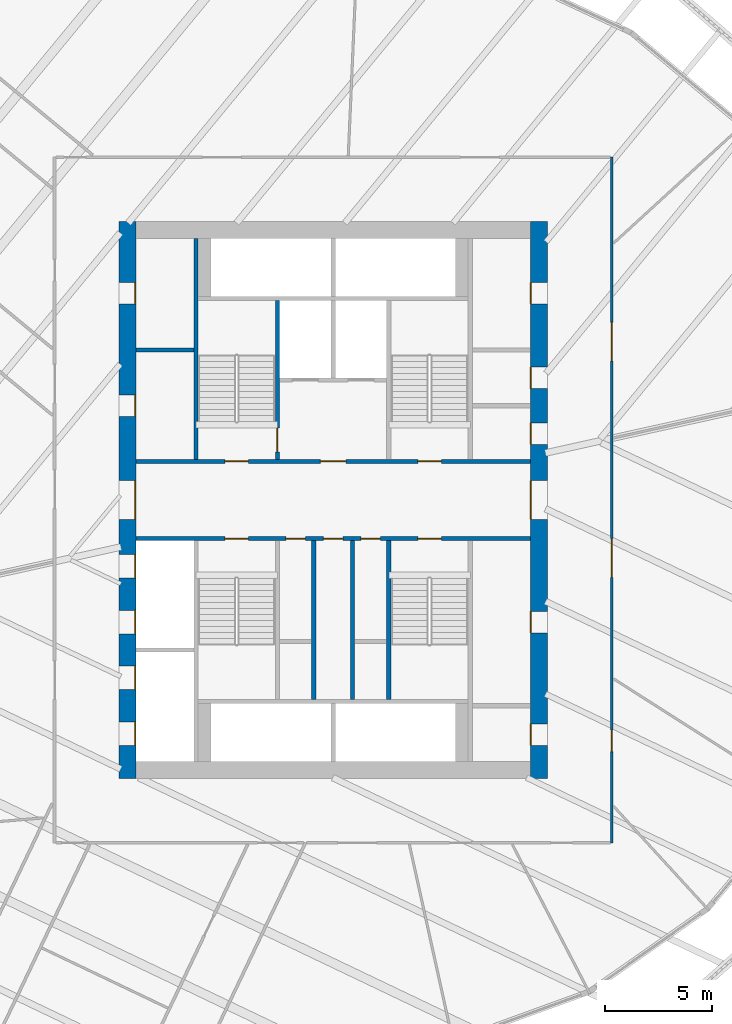
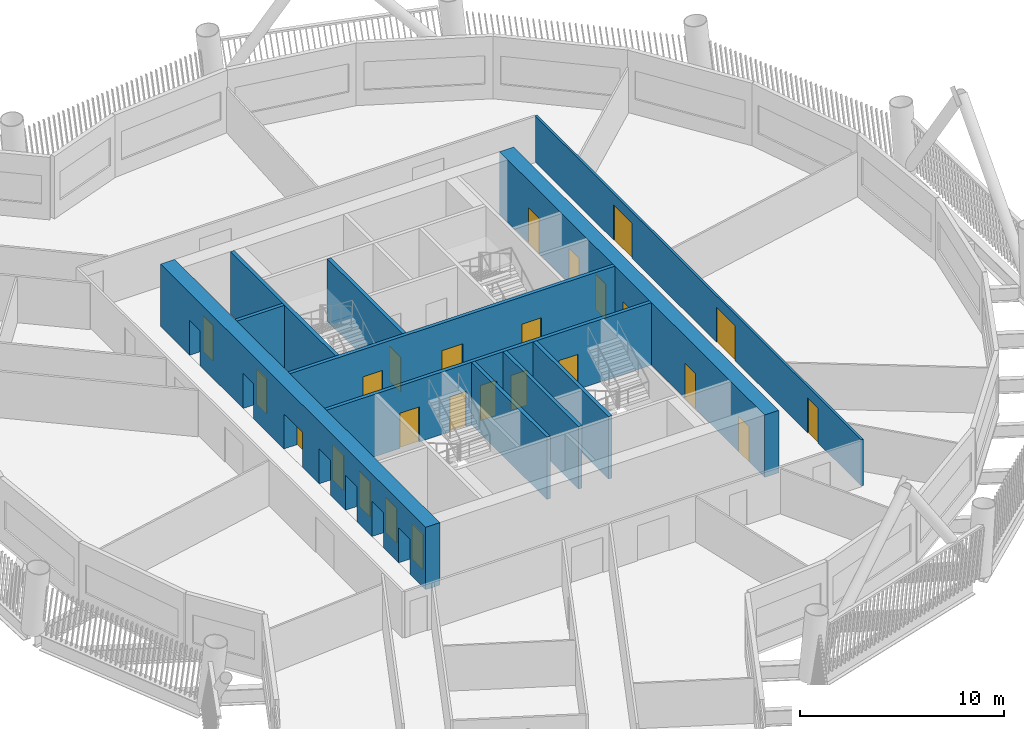
# One storey, part 5 of 22: 25 doors, 11 walls, 25 openings.
"""IFC4 building model written with IfcOpenShell, lengths in metres."""

from ifc_helpers import new_model, si_unit, direction, frame, frame_2d, origin, place, context, subcontext, project, spatial, rectangle, extrude, material, layer, layer_set, type_object, element, fill, save


model = new_model("IFC4")

# Units and contexts
model_context = context("Model", 3, precision=1e-05, world=origin(), true_north=direction((0.0, 1.0)))
body_context = subcontext(model_context, "Body", "Model", "MODEL_VIEW")
ifc_project = project(units=[si_unit("LENGTHUNIT", "METRE"), si_unit("AREAUNIT", "SQUARE_METRE"), si_unit("VOLUMEUNIT", "CUBIC_METRE"), si_unit("PLANEANGLEUNIT", "RADIAN"), si_unit("MASSUNIT", "GRAM", prefix="KILO")], contexts=[model_context])

# Site, building, storey
site_placement = place(None, origin())
site = spatial("IfcSite", under=ifc_project, at=site_placement, CompositionType="ELEMENT")
building_placement = place(site_placement, origin())
building = spatial("IfcBuilding", under=site, at=building_placement, Name="Tarsis Ring Headquarters", CompositionType="ELEMENT")
storey_placement = place(building_placement, frame((0.0, 0.0, 108.39990234375)))
storey = spatial("IfcBuildingStorey", under=building, at=storey_placement, Name="L24", CompositionType="ELEMENT", Elevation=108.39990234375)

# Walls
ifc_material_1 = material(Name="Blockwork", Category="masonry")
ifc_layer_1 = layer(ifc_material_1, 0.199951171875)
ifc_layer_set_1 = layer_set([ifc_layer_1], Name="Core blockwork wall 200")
wall_type_1 = type_object("IfcWallType", Name="Core blockwork wall 200", PredefinedType="PARTITIONING", material=ifc_layer_set_1)
wall_1_placement = place(storey_placement, frame((-9.199951171875, 7.0, 0.0), z_axis=(0.0, 0.0, 1.0), x_axis=(1.0, 0.0, 0.0)))
element("IfcWall", 1, at=wall_1_placement, inside=storey, type_object=wall_type_1, Name="Core partition WD6", PredefinedType="PARTITIONING", context=body_context, shape_type="SweptSolid", body=[
    extrude(rectangle(XDim=2.699951171875, YDim=0.199951171875, at=frame_2d((1.35009765625, 0.0))), origin(), (0.0, 0.0, 1.0), 3.739990234375),
])
for number, where, z_axis, x_axis, name in (
    (2, (-0.89990234375, -9.300048828125, 0.0), (0.0, 0.0, 1.0), (0.0, 1.0, 0.0), "Core partition SV1"),
    (3, (0.89990234375, -9.300048828125, 0.0), (0.0, 0.0, 1.0), (0.0, 1.0, 0.0), "Core partition SV2"),
):
    element("IfcWall", number, at=place(storey_placement, frame(where, z_axis=z_axis, x_axis=x_axis)), inside=storey, type_object=wall_type_1, Name=name, PredefinedType="PARTITIONING", context=body_context, shape_type="SweptSolid", body=[
        extrude(rectangle(XDim=7.400146484375, YDim=0.199951171875, at=frame_2d((3.7001953125, 0.0))), origin(), (0.0, 0.0, 1.0), 3.739990234375),
    ])

# Wall, openings, doors
ifc_material_2 = material(Name="Concrete C60/75", Category="concrete")
ifc_layer_2 = layer(ifc_material_2, 0.800048828125)
ifc_layer_set_2 = layer_set([ifc_layer_2], Name="Core wall 800 C60/75")
wall_type_2 = type_object("IfcWallType", Name="Core wall 800 C60/75", PredefinedType="SHEAR", material=ifc_layer_set_2)
wall_2_placement = place(storey_placement, frame((-9.60009765625, -13.0, 0.0), z_axis=(0.0, 0.0, 1.0), x_axis=(0.0, 1.0, 0.0)))
wall_2 = element("IfcWall", 4, at=wall_2_placement, inside=storey, type_object=wall_type_2, Name="Core wall OW", PredefinedType="SHEAR", context=body_context, shape_type="SweptSolid", body=[
    extrude(rectangle(XDim=26.0, YDim=0.800048828125, at=frame_2d((13.0, 0.0))), origin(), (0.0, 0.0, 1.0), 3.739990234375),
])
opening_1_placement = place(wall_2_placement, frame((1.550048828125, 0.0, 0.0)))
opening_1 = element("IfcOpeningElement", 5, at=opening_1_placement, cuts=wall_2, Name="Opening LD-LR1", PredefinedType="OPENING", context=body_context, shape_type="SweptSolid", body=[
    extrude(rectangle(XDim=1.10009765625, YDim=2.10009765625, at=frame_2d((0.550048828125, 1.050048828125))), frame((0.0, 0.409912109375, 0.0), z_axis=(0.0, -1.0, 0.0), x_axis=(1.0, 0.0, 0.0)), (0.0, 0.0, 1.0), 0.820068359375),
])
opening_2_placement = place(wall_2_placement, frame((4.14990234375, 0.0, 0.0)))
opening_2 = element("IfcOpeningElement", 6, at=opening_2_placement, cuts=wall_2, Name="Opening LD-LR2", PredefinedType="OPENING", context=body_context, shape_type="SweptSolid", body=[
    extrude(rectangle(XDim=1.10009765625, YDim=2.10009765625, at=frame_2d((0.550048828125, 1.050048828125))), frame((0.0, 0.409912109375, 0.0), z_axis=(0.0, -1.0, 0.0), x_axis=(1.0, 0.0, 0.0)), (0.0, 0.0, 1.0), 0.820068359375),
])
opening_3_placement = place(wall_2_placement, frame((6.75, 0.0, 0.0)))
opening_3 = element("IfcOpeningElement", 7, at=opening_3_placement, cuts=wall_2, Name="Opening LD-LR3", PredefinedType="OPENING", context=body_context, shape_type="SweptSolid", body=[
    extrude(rectangle(XDim=1.10009765625, YDim=2.10009765625, at=frame_2d((0.550048828125, 1.050048828125))), frame((0.0, 0.409912109375, 0.0), z_axis=(0.0, -1.0, 0.0), x_axis=(1.0, 0.0, 0.0)), (0.0, 0.0, 1.0), 0.820068359375),
])
opening_4_placement = place(wall_2_placement, frame((9.35009765625, 0.0, 0.0)))
opening_4 = element("IfcOpeningElement", 8, at=opening_4_placement, cuts=wall_2, Name="Opening LD-LR4", PredefinedType="OPENING", context=body_context, shape_type="SweptSolid", body=[
    extrude(rectangle(XDim=1.10009765625, YDim=2.10009765625, at=frame_2d((0.550048828125, 1.050048828125))), frame((0.0, 0.409912109375, 0.0), z_axis=(0.0, -1.0, 0.0), x_axis=(1.0, 0.0, 0.0)), (0.0, 0.0, 1.0), 0.820068359375),
])
opening_5_placement = place(wall_2_placement, frame((12.10009765625, 0.0, 0.0)))
opening_5 = element("IfcOpeningElement", 9, at=opening_5_placement, cuts=wall_2, Name="Opening L24-C05", PredefinedType="OPENING", context=body_context, shape_type="SweptSolid", body=[
    extrude(rectangle(XDim=1.800048828125, YDim=2.10009765625, at=frame_2d((0.89990234375, 1.050048828125))), frame((0.0, 0.409912109375, 0.0), z_axis=(0.0, -1.0, 0.0), x_axis=(1.0, 0.0, 0.0)), (0.0, 0.0, 1.0), 0.820068359375),
])
opening_6_placement = place(wall_2_placement, frame((16.89990234375, 0.0, 0.0)))
opening_6 = element("IfcOpeningElement", 10, at=opening_6_placement, cuts=wall_2, Name="Opening L24-C06", PredefinedType="OPENING", context=body_context, shape_type="SweptSolid", body=[
    extrude(rectangle(XDim=1.0, YDim=2.10009765625, at=frame_2d((0.5, 1.050048828125))), frame((0.0, 0.409912109375, 0.0), z_axis=(0.0, -1.0, 0.0), x_axis=(1.0, 0.0, 0.0)), (0.0, 0.0, 1.0), 0.820068359375),
])
opening_7_placement = place(wall_2_placement, frame((22.14990234375, 0.0, 0.0)))
opening_7 = element("IfcOpeningElement", 11, at=opening_7_placement, cuts=wall_2, Name="Opening L24-C07", PredefinedType="OPENING", context=body_context, shape_type="SweptSolid", body=[
    extrude(rectangle(XDim=1.0, YDim=2.10009765625, at=frame_2d((0.5, 1.050048828125))), frame((0.0, 0.409912109375, 0.0), z_axis=(0.0, -1.0, 0.0), x_axis=(1.0, 0.0, 0.0)), (0.0, 0.0, 1.0), 0.820068359375),
])
ifc_material_3 = material(Name="Steel S355", Category="steel")
door_type_1 = type_object("IfcDoorType", Name="Core entry door 1800x2100", OperationType="DOUBLE_DOOR_SINGLE_SWING", PredefinedType="DOOR", material=ifc_material_3)
door_1_placement = place(opening_5_placement, origin())
door_1 = element("IfcDoor", 12, at=door_1_placement, inside=storey, type_object=door_type_1, Name="Core entry door L24", OperationType="DOUBLE_DOOR_SINGLE_SWING", OverallHeight=2.10009765625, OverallWidth=1.800048828125, PredefinedType="DOOR", context=body_context, shape_type="SweptSolid", body=[
    extrude(rectangle(XDim=1.800048828125, YDim=2.10009765625, at=frame_2d((0.89990234375, 1.050048828125))), frame((0.0, -0.35009765625, 0.0), z_axis=(0.0, -1.0, 0.0), x_axis=(1.0, 0.0, 0.0)), (0.0, 0.0, 1.0), 0.050048828125),
])
fill(opening_5, door_1)
door_type_2 = type_object("IfcDoorType", Name="Core room door 1000x2100", OperationType="SINGLE_SWING_LEFT", PredefinedType="DOOR", material=ifc_material_3)
door_2_placement = place(opening_6_placement, origin())
door_2 = element("IfcDoor", 13, at=door_2_placement, inside=storey, type_object=door_type_2, Name="Core room door L24", OperationType="SINGLE_SWING_LEFT", OverallHeight=2.10009765625, OverallWidth=1.0, PredefinedType="DOOR", context=body_context, shape_type="SweptSolid", body=[
    extrude(rectangle(XDim=1.0, YDim=2.10009765625, at=frame_2d((0.5, 1.050048828125))), frame((0.0, -0.35009765625, 0.0), z_axis=(0.0, -1.0, 0.0), x_axis=(1.0, 0.0, 0.0)), (0.0, 0.0, 1.0), 0.050048828125),
])
fill(opening_6, door_2)
door_3_placement = place(opening_7_placement, origin())
door_3 = element("IfcDoor", 14, at=door_3_placement, inside=storey, type_object=door_type_2, Name="Core room door L24", OperationType="SINGLE_SWING_LEFT", OverallHeight=2.10009765625, OverallWidth=1.0, PredefinedType="DOOR", context=body_context, shape_type="SweptSolid", body=[
    extrude(rectangle(XDim=1.0, YDim=2.10009765625, at=frame_2d((0.5, 1.050048828125))), frame((0.0, -0.35009765625, 0.0), z_axis=(0.0, -1.0, 0.0), x_axis=(1.0, 0.0, 0.0)), (0.0, 0.0, 1.0), 0.050048828125),
])
fill(opening_7, door_3)
door_type_3 = type_object("IfcDoorType", Name="Landing door 1100x2100", OperationType="SLIDING_TO_LEFT", PredefinedType="DOOR", material=ifc_material_3)
door_4_placement = place(opening_1_placement, origin())
door_4 = element("IfcDoor", 15, at=door_4_placement, inside=storey, type_object=door_type_3, Name="Landing door LR1 L24", OperationType="SLIDING_TO_LEFT", OverallHeight=2.10009765625, OverallWidth=1.10009765625, PredefinedType="DOOR", context=body_context, shape_type="SweptSolid", body=[
    extrude(rectangle(XDim=1.10009765625, YDim=2.10009765625, at=frame_2d((0.550048828125, 1.050048828125))), frame((0.0, -0.35009765625, 0.0), z_axis=(0.0, -1.0, 0.0), x_axis=(1.0, 0.0, 0.0)), (0.0, 0.0, 1.0), 0.050048828125),
])
fill(opening_1, door_4)
door_5_placement = place(opening_2_placement, origin())
door_5 = element("IfcDoor", 16, at=door_5_placement, inside=storey, type_object=door_type_3, Name="Landing door LR2 L24", OperationType="SLIDING_TO_LEFT", OverallHeight=2.10009765625, OverallWidth=1.10009765625, PredefinedType="DOOR", context=body_context, shape_type="SweptSolid", body=[
    extrude(rectangle(XDim=1.10009765625, YDim=2.10009765625, at=frame_2d((0.550048828125, 1.050048828125))), frame((0.0, -0.35009765625, 0.0), z_axis=(0.0, -1.0, 0.0), x_axis=(1.0, 0.0, 0.0)), (0.0, 0.0, 1.0), 0.050048828125),
])
fill(opening_2, door_5)
door_6_placement = place(opening_3_placement, origin())
door_6 = element("IfcDoor", 17, at=door_6_placement, inside=storey, type_object=door_type_3, Name="Landing door LR3 L24", OperationType="SLIDING_TO_LEFT", OverallHeight=2.10009765625, OverallWidth=1.10009765625, PredefinedType="DOOR", context=body_context, shape_type="SweptSolid", body=[
    extrude(rectangle(XDim=1.10009765625, YDim=2.10009765625, at=frame_2d((0.550048828125, 1.050048828125))), frame((0.0, -0.35009765625, 0.0), z_axis=(0.0, -1.0, 0.0), x_axis=(1.0, 0.0, 0.0)), (0.0, 0.0, 1.0), 0.050048828125),
])
fill(opening_3, door_6)
door_7_placement = place(opening_4_placement, origin())
door_7 = element("IfcDoor", 18, at=door_7_placement, inside=storey, type_object=door_type_3, Name="Landing door LR4 L24", OperationType="SLIDING_TO_LEFT", OverallHeight=2.10009765625, OverallWidth=1.10009765625, PredefinedType="DOOR", context=body_context, shape_type="SweptSolid", body=[
    extrude(rectangle(XDim=1.10009765625, YDim=2.10009765625, at=frame_2d((0.550048828125, 1.050048828125))), frame((0.0, -0.35009765625, 0.0), z_axis=(0.0, -1.0, 0.0), x_axis=(1.0, 0.0, 0.0)), (0.0, 0.0, 1.0), 0.050048828125),
])
fill(opening_4, door_7)

wall_3_placement = place(storey_placement, frame((9.60009765625, -13.0, 0.0), z_axis=(0.0, 0.0, 1.0), x_axis=(0.0, 1.0, 0.0)))
wall_3 = element("IfcWall", 19, at=wall_3_placement, inside=storey, type_object=wall_type_2, Name="Core wall OE", PredefinedType="SHEAR", context=body_context, shape_type="SweptSolid", body=[
    extrude(rectangle(XDim=26.0, YDim=0.800048828125, at=frame_2d((13.0, 0.0))), origin(), (0.0, 0.0, 1.0), 3.739990234375),
])
opening_8_placement = place(wall_3_placement, frame((1.550048828125, 0.0, 0.0)))
opening_8 = element("IfcOpeningElement", 20, at=opening_8_placement, cuts=wall_3, Name="Opening L24-C08", PredefinedType="OPENING", context=body_context, shape_type="SweptSolid", body=[
    extrude(rectangle(XDim=1.0, YDim=2.10009765625, at=frame_2d((0.5, 1.050048828125))), frame((0.0, 0.409912109375, 0.0), z_axis=(0.0, -1.0, 0.0), x_axis=(1.0, 0.0, 0.0)), (0.0, 0.0, 1.0), 0.820068359375),
])
opening_9_placement = place(wall_3_placement, frame((6.800048828125, 0.0, 0.0)))
opening_9 = element("IfcOpeningElement", 21, at=opening_9_placement, cuts=wall_3, Name="Opening L24-C09", PredefinedType="OPENING", context=body_context, shape_type="SweptSolid", body=[
    extrude(rectangle(XDim=1.0, YDim=2.10009765625, at=frame_2d((0.5, 1.050048828125))), frame((0.0, 0.409912109375, 0.0), z_axis=(0.0, -1.0, 0.0), x_axis=(1.0, 0.0, 0.0)), (0.0, 0.0, 1.0), 0.820068359375),
])
opening_10_placement = place(wall_3_placement, frame((12.10009765625, 0.0, 0.0)))
opening_10 = element("IfcOpeningElement", 22, at=opening_10_placement, cuts=wall_3, Name="Opening L24-C10", PredefinedType="OPENING", context=body_context, shape_type="SweptSolid", body=[
    extrude(rectangle(XDim=1.800048828125, YDim=2.10009765625, at=frame_2d((0.89990234375, 1.050048828125))), frame((0.0, 0.409912109375, 0.0), z_axis=(0.0, -1.0, 0.0), x_axis=(1.0, 0.0, 0.0)), (0.0, 0.0, 1.0), 0.820068359375),
])
opening_11_placement = place(wall_3_placement, frame((15.60009765625, 0.0, 0.0)))
opening_11 = element("IfcOpeningElement", 23, at=opening_11_placement, cuts=wall_3, Name="Opening L24-C11", PredefinedType="OPENING", context=body_context, shape_type="SweptSolid", body=[
    extrude(rectangle(XDim=1.0, YDim=2.10009765625, at=frame_2d((0.5, 1.050048828125))), frame((0.0, 0.409912109375, 0.0), z_axis=(0.0, -1.0, 0.0), x_axis=(1.0, 0.0, 0.0)), (0.0, 0.0, 1.0), 0.820068359375),
])
opening_12_placement = place(wall_3_placement, frame((18.199951171875, 0.0, 0.0)))
opening_12 = element("IfcOpeningElement", 24, at=opening_12_placement, cuts=wall_3, Name="Opening L24-C12", PredefinedType="OPENING", context=body_context, shape_type="SweptSolid", body=[
    extrude(rectangle(XDim=1.0, YDim=2.10009765625, at=frame_2d((0.5, 1.050048828125))), frame((0.0, 0.409912109375, 0.0), z_axis=(0.0, -1.0, 0.0), x_axis=(1.0, 0.0, 0.0)), (0.0, 0.0, 1.0), 0.820068359375),
])
opening_13_placement = place(wall_3_placement, frame((22.14990234375, 0.0, 0.0)))
opening_13 = element("IfcOpeningElement", 25, at=opening_13_placement, cuts=wall_3, Name="Opening L24-C13", PredefinedType="OPENING", context=body_context, shape_type="SweptSolid", body=[
    extrude(rectangle(XDim=1.0, YDim=2.10009765625, at=frame_2d((0.5, 1.050048828125))), frame((0.0, 0.409912109375, 0.0), z_axis=(0.0, -1.0, 0.0), x_axis=(1.0, 0.0, 0.0)), (0.0, 0.0, 1.0), 0.820068359375),
])
door_8_placement = place(opening_10_placement, origin())
door_8 = element("IfcDoor", 26, at=door_8_placement, inside=storey, type_object=door_type_1, Name="Core entry door L24", OperationType="DOUBLE_DOOR_SINGLE_SWING", OverallHeight=2.10009765625, OverallWidth=1.800048828125, PredefinedType="DOOR", context=body_context, shape_type="SweptSolid", body=[
    extrude(rectangle(XDim=1.800048828125, YDim=2.10009765625, at=frame_2d((0.89990234375, 1.050048828125))), frame((0.0, 0.39990234375, 0.0), z_axis=(0.0, -1.0, 0.0), x_axis=(1.0, 0.0, 0.0)), (0.0, 0.0, 1.0), 0.050048828125),
])
fill(opening_10, door_8)
door_9_placement = place(opening_8_placement, origin())
door_9 = element("IfcDoor", 27, at=door_9_placement, inside=storey, type_object=door_type_2, Name="Core room door L24", OperationType="SINGLE_SWING_LEFT", OverallHeight=2.10009765625, OverallWidth=1.0, PredefinedType="DOOR", context=body_context, shape_type="SweptSolid", body=[
    extrude(rectangle(XDim=1.0, YDim=2.10009765625, at=frame_2d((0.5, 1.050048828125))), frame((0.0, 0.39990234375, 0.0), z_axis=(0.0, -1.0, 0.0), x_axis=(1.0, 0.0, 0.0)), (0.0, 0.0, 1.0), 0.050048828125),
])
fill(opening_8, door_9)
door_10_placement = place(opening_9_placement, origin())
door_10 = element("IfcDoor", 28, at=door_10_placement, inside=storey, type_object=door_type_2, Name="Core room door L24", OperationType="SINGLE_SWING_LEFT", OverallHeight=2.10009765625, OverallWidth=1.0, PredefinedType="DOOR", context=body_context, shape_type="SweptSolid", body=[
    extrude(rectangle(XDim=1.0, YDim=2.10009765625, at=frame_2d((0.5, 1.050048828125))), frame((0.0, 0.39990234375, 0.0), z_axis=(0.0, -1.0, 0.0), x_axis=(1.0, 0.0, 0.0)), (0.0, 0.0, 1.0), 0.050048828125),
])
fill(opening_9, door_10)
door_11_placement = place(opening_11_placement, origin())
door_11 = element("IfcDoor", 29, at=door_11_placement, inside=storey, type_object=door_type_2, Name="Core room door L24", OperationType="SINGLE_SWING_LEFT", OverallHeight=2.10009765625, OverallWidth=1.0, PredefinedType="DOOR", context=body_context, shape_type="SweptSolid", body=[
    extrude(rectangle(XDim=1.0, YDim=2.10009765625, at=frame_2d((0.5, 1.050048828125))), frame((0.0, 0.39990234375, 0.0), z_axis=(0.0, -1.0, 0.0), x_axis=(1.0, 0.0, 0.0)), (0.0, 0.0, 1.0), 0.050048828125),
])
fill(opening_11, door_11)
door_12_placement = place(opening_12_placement, origin())
door_12 = element("IfcDoor", 30, at=door_12_placement, inside=storey, type_object=door_type_2, Name="Core room door L24", OperationType="SINGLE_SWING_LEFT", OverallHeight=2.10009765625, OverallWidth=1.0, PredefinedType="DOOR", context=body_context, shape_type="SweptSolid", body=[
    extrude(rectangle(XDim=1.0, YDim=2.10009765625, at=frame_2d((0.5, 1.050048828125))), frame((0.0, 0.39990234375, 0.0), z_axis=(0.0, -1.0, 0.0), x_axis=(1.0, 0.0, 0.0)), (0.0, 0.0, 1.0), 0.050048828125),
])
fill(opening_12, door_12)
door_13_placement = place(opening_13_placement, origin())
door_13 = element("IfcDoor", 31, at=door_13_placement, inside=storey, type_object=door_type_2, Name="Core room door L24", OperationType="SINGLE_SWING_LEFT", OverallHeight=2.10009765625, OverallWidth=1.0, PredefinedType="DOOR", context=body_context, shape_type="SweptSolid", body=[
    extrude(rectangle(XDim=1.0, YDim=2.10009765625, at=frame_2d((0.5, 1.050048828125))), frame((0.0, 0.39990234375, 0.0), z_axis=(0.0, -1.0, 0.0), x_axis=(1.0, 0.0, 0.0)), (0.0, 0.0, 1.0), 0.050048828125),
])
fill(opening_13, door_13)

ifc_material_4 = material(Name="Gypsum board on steel studs", Category="steel")
ifc_layer_3 = layer(ifc_material_4, 0.125)
ifc_layer_set_3 = layer_set([ifc_layer_3], Name="FL partition 125 EI 60 H2770")
wall_type_3 = type_object("IfcWallType", Name="FL partition 125 EI 60 H2770", PredefinedType="PARTITIONING", material=ifc_layer_set_3)
wall_4_placement = place(storey_placement, frame((13.0, -16.0, 0.0), z_axis=(0.0, 0.0, 1.0), x_axis=(0.0, 1.0, 0.0)))
wall_4 = element("IfcWall", 32, at=wall_4_placement, inside=storey, type_object=wall_type_3, Name="Partition PW1", PredefinedType="PARTITIONING", context=body_context, shape_type="SweptSolid", body=[
    extrude(rectangle(XDim=32.0, YDim=0.125, at=frame_2d((16.0, 0.0))), origin(), (0.0, 0.0, 1.0), 2.77001953125),
])
opening_14_placement = place(wall_4_placement, frame((22.490478515625, 0.0, 0.0)))
opening_14 = element("IfcOpeningElement", 33, at=opening_14_placement, cuts=wall_4, Name="Opening D24.05", PredefinedType="OPENING", context=body_context, shape_type="SweptSolid", body=[
    extrude(rectangle(XDim=1.800048828125, YDim=2.10009765625, at=frame_2d((0.89990234375, 1.050048828125))), frame((0.0, 0.072509765625, 0.0), z_axis=(0.0, -1.0, 0.0), x_axis=(1.0, 0.0, 0.0)), (0.0, 0.0, 1.0), 0.14501953125),
])
opening_15_placement = place(wall_4_placement, frame((12.39453125, 0.0, 0.0)))
opening_15 = element("IfcOpeningElement", 34, at=opening_15_placement, cuts=wall_4, Name="Opening D24.06", PredefinedType="OPENING", context=body_context, shape_type="SweptSolid", body=[
    extrude(rectangle(XDim=1.800048828125, YDim=2.10009765625, at=frame_2d((0.89990234375, 1.050048828125))), frame((0.0, 0.072509765625, 0.0), z_axis=(0.0, -1.0, 0.0), x_axis=(1.0, 0.0, 0.0)), (0.0, 0.0, 1.0), 0.14501953125),
])
opening_16_placement = place(wall_4_placement, frame((4.25732421875, 0.0, 0.0)))
opening_16 = element("IfcOpeningElement", 35, at=opening_16_placement, cuts=wall_4, Name="Opening D24.07", PredefinedType="OPENING", context=body_context, shape_type="SweptSolid", body=[
    extrude(rectangle(XDim=1.0, YDim=2.10009765625, at=frame_2d((0.5, 1.050048828125))), frame((0.0, 0.072509765625, 0.0), z_axis=(0.0, -1.0, 0.0), x_axis=(1.0, 0.0, 0.0)), (0.0, 0.0, 1.0), 0.14501953125),
])
ifc_material_5 = material(Name="Fire-rated timber door leaf in steel frame", Category="steel")
door_type_4 = type_object("IfcDoorType", Name="FL door FD60-1000", OperationType="NOTDEFINED", PredefinedType="DOOR", material=ifc_material_5)
door_14_placement = place(opening_16_placement, origin())
door_14 = element("IfcDoor", 36, at=door_14_placement, inside=storey, type_object=door_type_4, Name="Door D24.07", OperationType="SINGLE_SWING_LEFT", OverallHeight=2.10009765625, OverallWidth=1.0, PredefinedType="DOOR", context=body_context, shape_type="SweptSolid", body=[
    extrude(rectangle(XDim=1.0, YDim=2.10009765625, at=frame_2d((0.5, 1.050048828125))), frame((0.0, 0.02490234375, 0.0), z_axis=(0.0, -1.0, 0.0), x_axis=(1.0, 0.0, 0.0)), (0.0, 0.0, 1.0), 0.050048828125),
])
fill(opening_16, door_14)
door_type_5 = type_object("IfcDoorType", Name="FL door FD60-1800", OperationType="DOUBLE_DOOR_SINGLE_SWING", PredefinedType="DOOR", material=ifc_material_5)
door_15_placement = place(opening_14_placement, origin())
door_15 = element("IfcDoor", 37, at=door_15_placement, inside=storey, type_object=door_type_5, Name="Door D24.05", OperationType="DOUBLE_DOOR_SINGLE_SWING", OverallHeight=2.10009765625, OverallWidth=1.800048828125, PredefinedType="DOOR", context=body_context, shape_type="SweptSolid", body=[
    extrude(rectangle(XDim=1.800048828125, YDim=2.10009765625, at=frame_2d((0.89990234375, 1.050048828125))), frame((0.0, 0.02490234375, 0.0), z_axis=(0.0, -1.0, 0.0), x_axis=(1.0, 0.0, 0.0)), (0.0, 0.0, 1.0), 0.050048828125),
])
fill(opening_14, door_15)
door_16_placement = place(opening_15_placement, origin())
door_16 = element("IfcDoor", 38, at=door_16_placement, inside=storey, type_object=door_type_5, Name="Door D24.06", OperationType="DOUBLE_DOOR_SINGLE_SWING", OverallHeight=2.10009765625, OverallWidth=1.800048828125, PredefinedType="DOOR", context=body_context, shape_type="SweptSolid", body=[
    extrude(rectangle(XDim=1.800048828125, YDim=2.10009765625, at=frame_2d((0.89990234375, 1.050048828125))), frame((0.0, 0.02490234375, 0.0), z_axis=(0.0, -1.0, 0.0), x_axis=(1.0, 0.0, 0.0)), (0.0, 0.0, 1.0), 0.050048828125),
])
fill(opening_15, door_16)

ifc_material_6 = material(Name="Concrete C32/40", Category="concrete")
ifc_layer_4 = layer(ifc_material_6, 0.199951171875)
ifc_layer_set_4 = layer_set([ifc_layer_4], Name="Shaft wall 200 C32/40")
wall_type_4 = type_object("IfcWallType", Name="Shaft wall 200 C32/40", PredefinedType="SOLIDWALL", material=ifc_layer_set_4)
wall_5_placement = place(storey_placement, frame((-9.199951171875, 1.800048828125, 0.0), z_axis=(0.0, 0.0, 1.0), x_axis=(1.0, 0.0, 0.0)))
wall_5 = element("IfcWall", 39, at=wall_5_placement, inside=storey, type_object=wall_type_4, Name="Core shaft wall CN", PredefinedType="SOLIDWALL", context=body_context, shape_type="SweptSolid", body=[
    extrude(rectangle(XDim=18.39990234375, YDim=0.199951171875, at=frame_2d((9.199951171875, 0.0))), origin(), (0.0, 0.0, 1.0), 3.739990234375),
])
opening_17_placement = place(wall_5_placement, frame((4.14990234375, 0.0, 0.0)))
opening_17 = element("IfcOpeningElement", 40, at=opening_17_placement, cuts=wall_5, Name="Opening L24-C14", PredefinedType="OPENING", context=body_context, shape_type="SweptSolid", body=[
    extrude(rectangle(XDim=1.10009765625, YDim=2.10009765625, at=frame_2d((0.550048828125, 1.050048828125))), frame((0.0, 0.10986328125, 0.0), z_axis=(0.0, -1.0, 0.0), x_axis=(1.0, 0.0, 0.0)), (0.0, 0.0, 1.0), 0.219970703125),
])
opening_18_placement = place(wall_5_placement, frame((8.60009765625, 0.0, 0.0)))
opening_18 = element("IfcOpeningElement", 41, at=opening_18_placement, cuts=wall_5, Name="Opening L24-C15", PredefinedType="OPENING", context=body_context, shape_type="SweptSolid", body=[
    extrude(rectangle(XDim=1.199951171875, YDim=2.10009765625, at=frame_2d((0.60009765625, 1.050048828125))), frame((0.0, 0.10986328125, 0.0), z_axis=(0.0, -1.0, 0.0), x_axis=(1.0, 0.0, 0.0)), (0.0, 0.0, 1.0), 0.219970703125),
])
opening_19_placement = place(wall_5_placement, frame((13.14990234375, 0.0, 0.0)))
opening_19 = element("IfcOpeningElement", 42, at=opening_19_placement, cuts=wall_5, Name="Opening L24-C16", PredefinedType="OPENING", context=body_context, shape_type="SweptSolid", body=[
    extrude(rectangle(XDim=1.10009765625, YDim=2.10009765625, at=frame_2d((0.550048828125, 1.050048828125))), frame((0.0, 0.10986328125, 0.0), z_axis=(0.0, -1.0, 0.0), x_axis=(1.0, 0.0, 0.0)), (0.0, 0.0, 1.0), 0.219970703125),
])
door_type_6 = type_object("IfcDoorType", Name="Firefighting lobby door 1200x2100", OperationType="DOUBLE_DOOR_SINGLE_SWING", PredefinedType="DOOR", material=ifc_material_3)
door_17_placement = place(opening_18_placement, origin())
door_17 = element("IfcDoor", 43, at=door_17_placement, inside=storey, type_object=door_type_6, Name="Firefighting lobby door L24", OperationType="DOUBLE_DOOR_SINGLE_SWING", OverallHeight=2.10009765625, OverallWidth=1.199951171875, PredefinedType="DOOR", context=body_context, shape_type="SweptSolid", body=[
    extrude(rectangle(XDim=1.199951171875, YDim=2.10009765625, at=frame_2d((0.60009765625, 1.050048828125))), frame((0.0, 0.02490234375, 0.0), z_axis=(0.0, -1.0, 0.0), x_axis=(1.0, 0.0, 0.0)), (0.0, 0.0, 1.0), 0.050048828125),
])
fill(opening_18, door_17)
door_type_7 = type_object("IfcDoorType", Name="Stair door 1100x2100", OperationType="SINGLE_SWING_LEFT", PredefinedType="DOOR", material=ifc_material_3)
door_18_placement = place(opening_17_placement, origin())
door_18 = element("IfcDoor", 44, at=door_18_placement, inside=storey, type_object=door_type_7, Name="Stair door L24", OperationType="SINGLE_SWING_LEFT", OverallHeight=2.10009765625, OverallWidth=1.10009765625, PredefinedType="DOOR", context=body_context, shape_type="SweptSolid", body=[
    extrude(rectangle(XDim=1.10009765625, YDim=2.10009765625, at=frame_2d((0.550048828125, 1.050048828125))), frame((0.0, 0.02490234375, 0.0), z_axis=(0.0, -1.0, 0.0), x_axis=(1.0, 0.0, 0.0)), (0.0, 0.0, 1.0), 0.050048828125),
])
fill(opening_17, door_18)
door_19_placement = place(opening_19_placement, origin())
door_19 = element("IfcDoor", 45, at=door_19_placement, inside=storey, type_object=door_type_7, Name="Stair door L24", OperationType="SINGLE_SWING_LEFT", OverallHeight=2.10009765625, OverallWidth=1.10009765625, PredefinedType="DOOR", context=body_context, shape_type="SweptSolid", body=[
    extrude(rectangle(XDim=1.10009765625, YDim=2.10009765625, at=frame_2d((0.550048828125, 1.050048828125))), frame((0.0, 0.02490234375, 0.0), z_axis=(0.0, -1.0, 0.0), x_axis=(1.0, 0.0, 0.0)), (0.0, 0.0, 1.0), 0.050048828125),
])
fill(opening_19, door_19)

wall_6_placement = place(storey_placement, frame((-9.199951171875, -1.800048828125, 0.0), z_axis=(0.0, 0.0, 1.0), x_axis=(1.0, 0.0, 0.0)))
wall_6 = element("IfcWall", 46, at=wall_6_placement, inside=storey, type_object=wall_type_4, Name="Core shaft wall CS", PredefinedType="SOLIDWALL", context=body_context, shape_type="SweptSolid", body=[
    extrude(rectangle(XDim=18.39990234375, YDim=0.199951171875, at=frame_2d((9.199951171875, 0.0))), origin(), (0.0, 0.0, 1.0), 3.739990234375),
])
opening_20_placement = place(wall_6_placement, frame((4.14990234375, 0.0, 0.0)))
opening_20 = element("IfcOpeningElement", 47, at=opening_20_placement, cuts=wall_6, Name="Opening L24-C17", PredefinedType="OPENING", context=body_context, shape_type="SweptSolid", body=[
    extrude(rectangle(XDim=1.10009765625, YDim=2.10009765625, at=frame_2d((0.550048828125, 1.050048828125))), frame((0.0, 0.10986328125, 0.0), z_axis=(0.0, -1.0, 0.0), x_axis=(1.0, 0.0, 0.0)), (0.0, 0.0, 1.0), 0.219970703125),
])
opening_21_placement = place(wall_6_placement, frame((7.0, 0.0, 0.0)))
opening_21 = element("IfcOpeningElement", 48, at=opening_21_placement, cuts=wall_6, Name="Opening L24-C18", PredefinedType="OPENING", context=body_context, shape_type="SweptSolid", body=[
    extrude(rectangle(XDim=0.89990234375, YDim=2.10009765625, at=frame_2d((0.449951171875, 1.050048828125))), frame((0.0, 0.10986328125, 0.0), z_axis=(0.0, -1.0, 0.0), x_axis=(1.0, 0.0, 0.0)), (0.0, 0.0, 1.0), 0.219970703125),
])
opening_22_placement = place(wall_6_placement, frame((8.75, 0.0, 0.0)))
opening_22 = element("IfcOpeningElement", 49, at=opening_22_placement, cuts=wall_6, Name="Opening L24-C19", PredefinedType="OPENING", context=body_context, shape_type="SweptSolid", body=[
    extrude(rectangle(XDim=0.89990234375, YDim=2.10009765625, at=frame_2d((0.449951171875, 1.050048828125))), frame((0.0, 0.10986328125, 0.0), z_axis=(0.0, -1.0, 0.0), x_axis=(1.0, 0.0, 0.0)), (0.0, 0.0, 1.0), 0.219970703125),
])
opening_23_placement = place(wall_6_placement, frame((10.5, 0.0, 0.0)))
opening_23 = element("IfcOpeningElement", 50, at=opening_23_placement, cuts=wall_6, Name="Opening L24-C20", PredefinedType="OPENING", context=body_context, shape_type="SweptSolid", body=[
    extrude(rectangle(XDim=0.89990234375, YDim=2.10009765625, at=frame_2d((0.449951171875, 1.050048828125))), frame((0.0, 0.10986328125, 0.0), z_axis=(0.0, -1.0, 0.0), x_axis=(1.0, 0.0, 0.0)), (0.0, 0.0, 1.0), 0.219970703125),
])
opening_24_placement = place(wall_6_placement, frame((13.14990234375, 0.0, 0.0)))
opening_24 = element("IfcOpeningElement", 51, at=opening_24_placement, cuts=wall_6, Name="Opening L24-C21", PredefinedType="OPENING", context=body_context, shape_type="SweptSolid", body=[
    extrude(rectangle(XDim=1.10009765625, YDim=2.10009765625, at=frame_2d((0.550048828125, 1.050048828125))), frame((0.0, 0.10986328125, 0.0), z_axis=(0.0, -1.0, 0.0), x_axis=(1.0, 0.0, 0.0)), (0.0, 0.0, 1.0), 0.219970703125),
])
door_20_placement = place(opening_20_placement, origin())
door_20 = element("IfcDoor", 52, at=door_20_placement, inside=storey, type_object=door_type_7, Name="Stair door L24", OperationType="SINGLE_SWING_LEFT", OverallHeight=2.10009765625, OverallWidth=1.10009765625, PredefinedType="DOOR", context=body_context, shape_type="SweptSolid", body=[
    extrude(rectangle(XDim=1.10009765625, YDim=2.10009765625, at=frame_2d((0.550048828125, 1.050048828125))), frame((0.0, 0.02490234375, 0.0), z_axis=(0.0, -1.0, 0.0), x_axis=(1.0, 0.0, 0.0)), (0.0, 0.0, 1.0), 0.050048828125),
])
fill(opening_20, door_20)
door_21_placement = place(opening_24_placement, origin())
door_21 = element("IfcDoor", 53, at=door_21_placement, inside=storey, type_object=door_type_7, Name="Stair door L24", OperationType="SINGLE_SWING_LEFT", OverallHeight=2.10009765625, OverallWidth=1.10009765625, PredefinedType="DOOR", context=body_context, shape_type="SweptSolid", body=[
    extrude(rectangle(XDim=1.10009765625, YDim=2.10009765625, at=frame_2d((0.550048828125, 1.050048828125))), frame((0.0, 0.02490234375, 0.0), z_axis=(0.0, -1.0, 0.0), x_axis=(1.0, 0.0, 0.0)), (0.0, 0.0, 1.0), 0.050048828125),
])
fill(opening_24, door_21)
door_type_8 = type_object("IfcDoorType", Name="WC door 900x2100", OperationType="SINGLE_SWING_LEFT", PredefinedType="DOOR", material=ifc_material_3)
door_22_placement = place(opening_21_placement, origin())
door_22 = element("IfcDoor", 54, at=door_22_placement, inside=storey, type_object=door_type_8, Name="WC door L24", OperationType="SINGLE_SWING_LEFT", OverallHeight=2.10009765625, OverallWidth=0.89990234375, PredefinedType="DOOR", context=body_context, shape_type="SweptSolid", body=[
    extrude(rectangle(XDim=0.89990234375, YDim=2.10009765625, at=frame_2d((0.449951171875, 1.050048828125))), frame((0.0, 0.02490234375, 0.0), z_axis=(0.0, -1.0, 0.0), x_axis=(1.0, 0.0, 0.0)), (0.0, 0.0, 1.0), 0.050048828125),
])
fill(opening_21, door_22)
door_23_placement = place(opening_22_placement, origin())
door_23 = element("IfcDoor", 55, at=door_23_placement, inside=storey, type_object=door_type_8, Name="WC door L24", OperationType="SINGLE_SWING_LEFT", OverallHeight=2.10009765625, OverallWidth=0.89990234375, PredefinedType="DOOR", context=body_context, shape_type="SweptSolid", body=[
    extrude(rectangle(XDim=0.89990234375, YDim=2.10009765625, at=frame_2d((0.449951171875, 1.050048828125))), frame((0.0, 0.02490234375, 0.0), z_axis=(0.0, -1.0, 0.0), x_axis=(1.0, 0.0, 0.0)), (0.0, 0.0, 1.0), 0.050048828125),
])
fill(opening_22, door_23)
door_24_placement = place(opening_23_placement, origin())
door_24 = element("IfcDoor", 56, at=door_24_placement, inside=storey, type_object=door_type_8, Name="WC door L24", OperationType="SINGLE_SWING_LEFT", OverallHeight=2.10009765625, OverallWidth=0.89990234375, PredefinedType="DOOR", context=body_context, shape_type="SweptSolid", body=[
    extrude(rectangle(XDim=0.89990234375, YDim=2.10009765625, at=frame_2d((0.449951171875, 1.050048828125))), frame((0.0, 0.02490234375, 0.0), z_axis=(0.0, -1.0, 0.0), x_axis=(1.0, 0.0, 0.0)), (0.0, 0.0, 1.0), 0.050048828125),
])
fill(opening_23, door_24)

# Wall
wall_7_placement = place(storey_placement, frame((-6.39990234375, 1.89990234375, 0.0), z_axis=(0.0, 0.0, 1.0), x_axis=(0.0, 1.0, 0.0)))
element("IfcWall", 57, at=wall_7_placement, inside=storey, type_object=wall_type_4, Name="Core shaft wall WB2", PredefinedType="SOLIDWALL", context=body_context, shape_type="SweptSolid", body=[
    extrude(rectangle(XDim=10.300048828125, YDim=0.199951171875, at=frame_2d((5.14990234375, 0.0))), origin(), (0.0, 0.0, 1.0), 3.739990234375),
])

# Wall, opening, door
wall_8_placement = place(storey_placement, frame((-2.60009765625, 1.89990234375, 0.0), z_axis=(0.0, 0.0, 1.0), x_axis=(0.0, 1.0, 0.0)))
wall_8 = element("IfcWall", 58, at=wall_8_placement, inside=storey, type_object=wall_type_4, Name="Core shaft wall SW1", PredefinedType="SOLIDWALL", context=body_context, shape_type="SweptSolid", body=[
    extrude(rectangle(XDim=7.400146484375, YDim=0.199951171875, at=frame_2d((3.7001953125, 0.0))), origin(), (0.0, 0.0, 1.0), 3.739990234375),
])
opening_25_placement = place(wall_8_placement, frame((0.35009765625, 0.0, 0.0)))
opening_25 = element("IfcOpeningElement", 59, at=opening_25_placement, cuts=wall_8, Name="Opening L24-C22", PredefinedType="OPENING", context=body_context, shape_type="SweptSolid", body=[
    extrude(rectangle(XDim=1.10009765625, YDim=2.10009765625, at=frame_2d((0.550048828125, 1.050048828125))), frame((0.0, 0.10986328125, 0.0), z_axis=(0.0, -1.0, 0.0), x_axis=(1.0, 0.0, 0.0)), (0.0, 0.0, 1.0), 0.219970703125),
])
door_25_placement = place(opening_25_placement, origin())
door_25 = element("IfcDoor", 60, at=door_25_placement, inside=storey, type_object=door_type_7, Name="Stair door L24", OperationType="SINGLE_SWING_LEFT", OverallHeight=2.10009765625, OverallWidth=1.10009765625, PredefinedType="DOOR", context=body_context, shape_type="SweptSolid", body=[
    extrude(rectangle(XDim=1.10009765625, YDim=2.10009765625, at=frame_2d((0.550048828125, 1.050048828125))), frame((0.0, 0.02490234375, 0.0), z_axis=(0.0, -1.0, 0.0), x_axis=(1.0, 0.0, 0.0)), (0.0, 0.0, 1.0), 0.050048828125),
])
fill(opening_25, door_25)

# Wall
wall_9_placement = place(storey_placement, frame((2.60009765625, -9.300048828125, 0.0), z_axis=(0.0, 0.0, 1.0), x_axis=(0.0, 1.0, 0.0)))
element("IfcWall", 61, at=wall_9_placement, inside=storey, type_object=wall_type_4, Name="Core shaft wall SW4", PredefinedType="SOLIDWALL", context=body_context, shape_type="SweptSolid", body=[
    extrude(rectangle(XDim=7.400146484375, YDim=0.199951171875, at=frame_2d((3.7001953125, 0.0))), origin(), (0.0, 0.0, 1.0), 3.739990234375),
])

save(model, "model.ifc")
